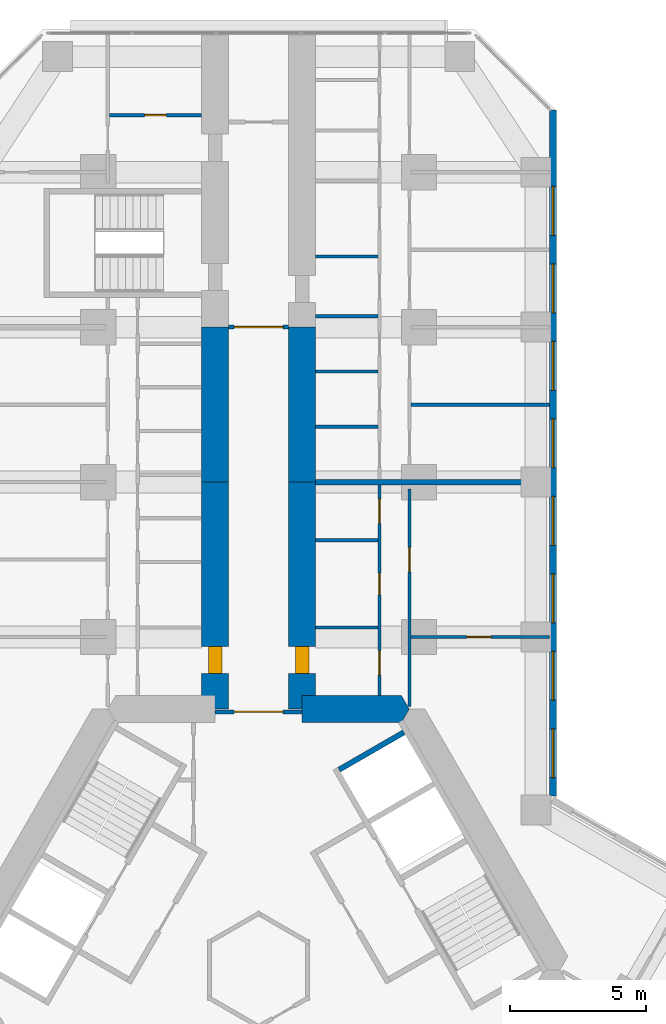
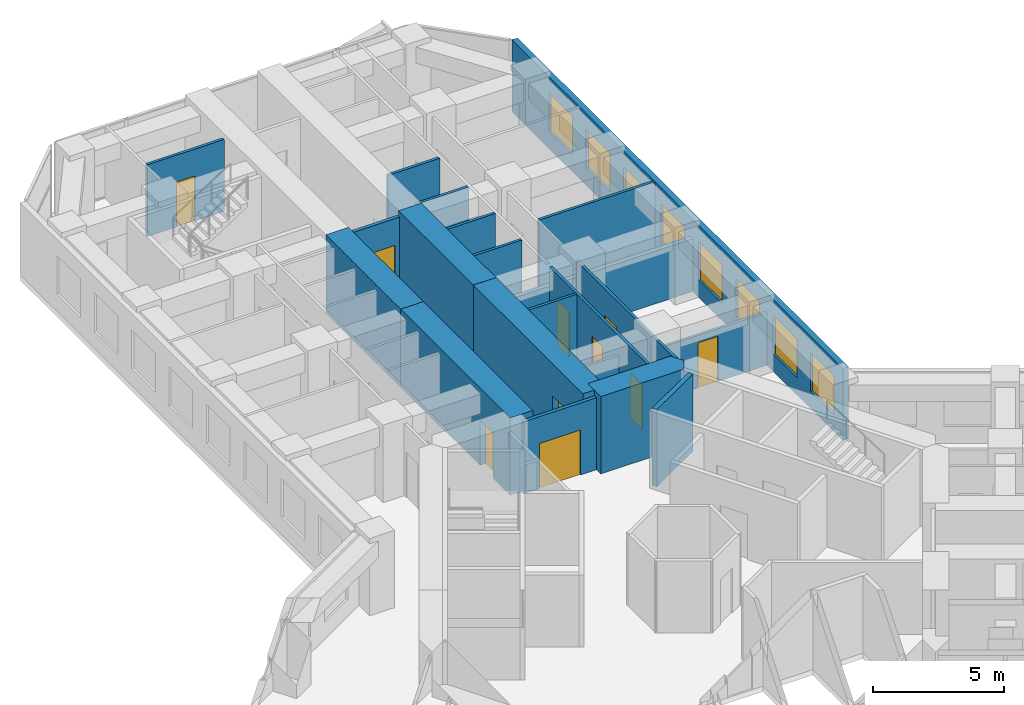
# One storey, part 18 of 21: 21 walls, 10 doors, 8 windows, 18 openings.
"""IFC4 building model written with IfcOpenShell, lengths in metres."""

from ifc_helpers import new_model, si_unit, direction, frame, frame_2d, origin, place, context, subcontext, project, spatial, polyline, rectangle, outline, extrude, material, layer, layer_set, type_object, element, fill, save


model = new_model("IFC4")

# Units and contexts
model_context = context("Model", 3, precision=1e-05, world=origin(), true_north=direction((0.0, 1.0)))
body_context = subcontext(model_context, "Body", "Model", "MODEL_VIEW")
ifc_project = project(units=[si_unit("LENGTHUNIT", "METRE"), si_unit("AREAUNIT", "SQUARE_METRE"), si_unit("VOLUMEUNIT", "CUBIC_METRE"), si_unit("PLANEANGLEUNIT", "RADIAN"), si_unit("MASSUNIT", "GRAM", prefix="KILO")], contexts=[model_context])

# Site, building, storey
site_placement = place(None, origin())
site = spatial("IfcSite", under=ifc_project, at=site_placement, CompositionType="ELEMENT")
building_placement = place(site_placement, origin())
building = spatial("IfcBuilding", under=site, at=building_placement, Name="Kosmar Iwan School Tower", CompositionType="ELEMENT")
storey_placement = place(building_placement, frame((0.0, 0.0, 43.0)))
storey = spatial("IfcBuildingStorey", under=building, at=storey_placement, Name="L09", CompositionType="ELEMENT", Elevation=43.0)

# Wall
ifc_material_1 = material(Name="Concrete C50/60", Category="concrete")
ifc_layer_1 = layer(ifc_material_1, 1.0)
ifc_layer_set_1 = layer_set([ifc_layer_1], Name="Core wall 1000")
wall_type_1 = type_object("IfcWallType", Name="Core wall 1000", PredefinedType="SHEAR", material=ifc_layer_set_1)
wall_1_placement = place(storey_placement, origin())
element("IfcWall", 1, at=wall_1_placement, inside=storey, type_object=wall_type_1, Name="Core wall F090a", PredefinedType="SHEAR", context=body_context, shape_type="SweptSolid", body=[
    extrude(outline(polyline([(1.60009765625, 9.10009765625), (5.25390625, 9.10009765625), (5.54248046875, 9.60009765625), (5.25390625, 10.10009765625), (1.60009765625, 10.10009765625), (1.60009765625, 9.10009765625)])), origin(), (0.0, 0.0, 1.0), 3.60009765625),
])

# Wall, opening, door
ifc_material_2 = material(Name="Concrete C50/60", Category="concrete")
ifc_layer_2 = layer(ifc_material_2, 1.0)
ifc_layer_set_2 = layer_set([ifc_layer_2], Name="Corridor buttress wall 1000")
wall_type_2 = type_object("IfcWallType", Name="Corridor buttress wall 1000", PredefinedType="SHEAR", material=ifc_layer_set_2)
wall_2_placement = place(storey_placement, frame((-1.60009765625, 9.60009765625, 0.0), z_axis=(0.0, 0.0, 1.0), x_axis=(0.0, 1.0, 0.0)))
wall_2 = element("IfcWall", 2, at=wall_2_placement, inside=storey, type_object=wall_type_2, Name="Corridor wall AL", PredefinedType="SHEAR", context=body_context, shape_type="SweptSolid", body=[
    extrude(rectangle(XDim=8.349853515625, YDim=1.0, at=frame_2d((4.1748046875, 0.0))), origin(), (0.0, 0.0, 1.0), 3.60009765625),
])
opening_1_placement = place(wall_2_placement, frame((1.300048828125, 0.0, 0.0)))
opening_1 = element("IfcOpeningElement", 3, at=opening_1_placement, cuts=wall_2, Name="Opening D1", PredefinedType="OPENING", context=body_context, shape_type="SweptSolid", body=[
    extrude(rectangle(XDim=1.0, YDim=2.10009765625, at=frame_2d((0.5, 1.050048828125))), frame((0.0, 0.511962890625, 0.0), z_axis=(0.0, -1.0, 0.0), x_axis=(1.0, 0.0, 0.0)), (0.0, 0.0, 1.0), 1.02392578125),
])
ifc_material_3 = material(Name="Timber fire door in steel frame", Category="steel")
door_type_1 = type_object("IfcDoorType", Name="Flat entrance door 1000x2100", OperationType="SINGLE_SWING_LEFT", PredefinedType="DOOR", material=ifc_material_3)
door_1_placement = place(opening_1_placement, origin())
door_1 = element("IfcDoor", 4, at=door_1_placement, inside=storey, type_object=door_type_1, Name="Flat L09-AL1 entrance door", OperationType="SINGLE_SWING_RIGHT", OverallHeight=2.10009765625, OverallWidth=1.0, PredefinedType="DOOR", context=body_context, shape_type="SweptSolid", body=[
    extrude(rectangle(XDim=1.0, YDim=2.10009765625, at=frame_2d((0.5, 1.050048828125))), frame((0.0, 0.25, 0.0), z_axis=(0.0, -1.0, 0.0), x_axis=(1.0, 0.0, 0.0)), (0.0, 0.0, 1.0), 0.5),
])
fill(opening_1, door_1)

# Wall
wall_3_placement = place(storey_placement, frame((-1.60009765625, 17.949951171875, 0.0), z_axis=(0.0, 0.0, 1.0), x_axis=(0.0, 1.0, 0.0)))
element("IfcWall", 5, at=wall_3_placement, inside=storey, type_object=wall_type_2, Name="Corridor wall AL bay 2", PredefinedType="SHEAR", context=body_context, shape_type="SweptSolid", body=[
    extrude(rectangle(XDim=5.699951171875, YDim=1.0, at=frame_2d((2.85009765625, 0.0))), origin(), (0.0, 0.0, 1.0), 3.60009765625),
])

# Wall, opening, door
wall_4_placement = place(storey_placement, frame((1.60009765625, 9.60009765625, 0.0), z_axis=(0.0, 0.0, 1.0), x_axis=(0.0, 1.0, 0.0)))
wall_4 = element("IfcWall", 6, at=wall_4_placement, inside=storey, type_object=wall_type_2, Name="Corridor wall AR", PredefinedType="SHEAR", context=body_context, shape_type="SweptSolid", body=[
    extrude(rectangle(XDim=8.349853515625, YDim=1.0, at=frame_2d((4.1748046875, 0.0))), origin(), (0.0, 0.0, 1.0), 3.60009765625),
])
opening_2_placement = place(wall_4_placement, frame((1.300048828125, 0.0, 0.0)))
opening_2 = element("IfcOpeningElement", 7, at=opening_2_placement, cuts=wall_4, Name="Opening D1", PredefinedType="OPENING", context=body_context, shape_type="SweptSolid", body=[
    extrude(rectangle(XDim=1.0, YDim=2.10009765625, at=frame_2d((0.5, 1.050048828125))), frame((0.0, 0.511962890625, 0.0), z_axis=(0.0, -1.0, 0.0), x_axis=(1.0, 0.0, 0.0)), (0.0, 0.0, 1.0), 1.02392578125),
])
door_2_placement = place(opening_2_placement, origin())
door_2 = element("IfcDoor", 8, at=door_2_placement, inside=storey, type_object=door_type_1, Name="Flat L09-AR1 entrance door", OperationType="SINGLE_SWING_LEFT", OverallHeight=2.10009765625, OverallWidth=1.0, PredefinedType="DOOR", context=body_context, shape_type="SweptSolid", body=[
    extrude(rectangle(XDim=1.0, YDim=2.10009765625, at=frame_2d((0.5, 1.050048828125))), frame((0.0, 0.25, 0.0), z_axis=(0.0, -1.0, 0.0), x_axis=(1.0, 0.0, 0.0)), (0.0, 0.0, 1.0), 0.5),
])
fill(opening_2, door_2)

# Wall
wall_5_placement = place(storey_placement, frame((1.60009765625, 17.949951171875, 0.0), z_axis=(0.0, 0.0, 1.0), x_axis=(0.0, 1.0, 0.0)))
element("IfcWall", 9, at=wall_5_placement, inside=storey, type_object=wall_type_2, Name="Corridor wall AR bay 2", PredefinedType="SHEAR", context=body_context, shape_type="SweptSolid", body=[
    extrude(rectangle(XDim=5.699951171875, YDim=1.0, at=frame_2d((2.85009765625, 0.0))), origin(), (0.0, 0.0, 1.0), 3.60009765625),
])

# Wall, opening, door
ifc_material_4 = material(Name="Gypsum board on steel studs, fire-rated", Category="steel")
ifc_layer_3 = layer(ifc_material_4, 0.14990234375)
ifc_layer_set_3 = layer_set([ifc_layer_3], Name="Corridor end wall 150")
wall_type_3 = type_object("IfcWallType", Name="Corridor end wall 150", PredefinedType="PARTITIONING", material=ifc_layer_set_3)
wall_6_placement = place(storey_placement, frame((1.10009765625, 23.64990234375, 0.0), z_axis=(0.0, 0.0, 1.0), x_axis=(-1.0, 0.0, 0.0)))
wall_6 = element("IfcWall", 10, at=wall_6_placement, inside=storey, type_object=wall_type_3, Name="Partition L09-A-HW", PredefinedType="PARTITIONING", context=body_context, shape_type="SweptSolid", body=[
    extrude(rectangle(XDim=2.2001953125, YDim=0.14990234375, at=frame_2d((1.10009765625, 0.0))), origin(), (0.0, 0.0, 1.0), 3.35009765625),
])
opening_3_placement = place(wall_6_placement, frame((0.199951171875, 0.0, 0.0)))
opening_3 = element("IfcOpeningElement", 11, at=opening_3_placement, cuts=wall_6, Name="Opening D9", PredefinedType="OPENING", context=body_context, shape_type="SweptSolid", body=[
    extrude(rectangle(XDim=1.800048828125, YDim=2.10009765625, at=frame_2d((0.89990234375, 1.050048828125))), frame((0.0, 0.0869140625, 0.0), z_axis=(0.0, -1.0, 0.0), x_axis=(1.0, 0.0, 0.0)), (0.0, 0.0, 1.0), 0.173828125),
])
ifc_material_5 = material(Name="Steel framed glazed smoke door", Category="steel")
door_type_2 = type_object("IfcDoorType", Name="Corridor smoke door pair 1800x2100", OperationType="DOUBLE_DOOR_DOUBLE_SWING", PredefinedType="DOOR", material=ifc_material_5)
door_3_placement = place(opening_3_placement, origin())
door_3 = element("IfcDoor", 12, at=door_3_placement, inside=storey, type_object=door_type_2, Name="Entrance vestibule smoke doors L09-A", OperationType="DOUBLE_DOOR_DOUBLE_SWING", OverallHeight=2.10009765625, OverallWidth=1.800048828125, PredefinedType="DOOR", context=body_context, shape_type="SweptSolid", body=[
    extrude(rectangle(XDim=1.800048828125, YDim=2.10009765625, at=frame_2d((0.89990234375, 1.050048828125))), frame((0.0, 0.02490234375, 0.0), z_axis=(0.0, -1.0, 0.0), x_axis=(1.0, 0.0, 0.0)), (0.0, 0.0, 1.0), 0.050048828125),
])
fill(opening_3, door_3)

ifc_material_6 = material(Name="Steel framed glazed screen", Category="steel")
ifc_layer_4 = layer(ifc_material_6, 0.14990234375)
ifc_layer_set_4 = layer_set([ifc_layer_4], Name="Corridor screen wall 150")
wall_type_4 = type_object("IfcWallType", Name="Corridor screen wall 150", PredefinedType="PARTITIONING", material=ifc_layer_set_4)
wall_7_placement = place(storey_placement, frame((1.60009765625, 9.5, 0.0), z_axis=(0.0, 0.0, 1.0), x_axis=(-1.0, 0.0, 0.0)))
wall_7 = element("IfcWall", 13, at=wall_7_placement, inside=storey, type_object=wall_type_4, Name="Corridor screen A L09", PredefinedType="PARTITIONING", context=body_context, shape_type="SweptSolid", body=[
    extrude(rectangle(XDim=3.2001953125, YDim=0.14990234375, at=frame_2d((1.60009765625, 0.0))), origin(), (0.0, 0.0, 1.0), 3.35009765625),
])
opening_4_placement = place(wall_7_placement, frame((0.699951171875, 0.0, 0.0)))
opening_4 = element("IfcOpeningElement", 14, at=opening_4_placement, cuts=wall_7, Name="Opening D9", PredefinedType="OPENING", context=body_context, shape_type="SweptSolid", body=[
    extrude(rectangle(XDim=1.800048828125, YDim=2.10009765625, at=frame_2d((0.89990234375, 1.050048828125))), frame((0.0, 0.0869140625, 0.0), z_axis=(0.0, -1.0, 0.0), x_axis=(1.0, 0.0, 0.0)), (0.0, 0.0, 1.0), 0.173828125),
])
door_4_placement = place(opening_4_placement, origin())
door_4 = element("IfcDoor", 15, at=door_4_placement, inside=storey, type_object=door_type_2, Name="Corridor doors A L09", OperationType="DOUBLE_DOOR_DOUBLE_SWING", OverallHeight=2.10009765625, OverallWidth=1.800048828125, PredefinedType="DOOR", context=body_context, shape_type="SweptSolid", body=[
    extrude(rectangle(XDim=1.800048828125, YDim=2.10009765625, at=frame_2d((0.89990234375, 1.050048828125))), frame((0.0, 0.02490234375, 0.0), z_axis=(0.0, -1.0, 0.0), x_axis=(1.0, 0.0, 0.0)), (0.0, 0.0, 1.0), 0.050048828125),
])
fill(opening_4, door_4)

ifc_material_7 = material(Name="Gypsum board on steel studs", Category="steel")
ifc_layer_5 = layer(ifc_material_7, 0.1201171875)
ifc_layer_set_5 = layer_set([ifc_layer_5], Name="Dwelling partition 120")
wall_type_5 = type_object("IfcWallType", Name="Dwelling partition 120", PredefinedType="PARTITIONING", material=ifc_layer_set_5)
wall_8_placement = place(storey_placement, frame((-2.10009765625, 31.449951171875, 0.0), z_axis=(0.0, 0.0, 1.0), x_axis=(-1.0, 0.0, 0.0)))
wall_8 = element("IfcWall", 16, at=wall_8_placement, inside=storey, type_object=wall_type_5, Name="Partition L09-AL2-TY", PredefinedType="PARTITIONING", context=body_context, shape_type="SweptSolid", body=[
    extrude(rectangle(XDim=3.389892578125, YDim=0.1201171875, at=frame_2d((1.69482421875, 0.0))), origin(), (0.0, 0.0, 1.0), 3.35009765625),
])
opening_5_placement = place(wall_8_placement, frame((1.294921875, 0.0, 0.0)))
opening_5 = element("IfcOpeningElement", 17, at=opening_5_placement, cuts=wall_8, Name="Opening D3", PredefinedType="OPENING", context=body_context, shape_type="SweptSolid", body=[
    extrude(rectangle(XDim=0.800048828125, YDim=2.10009765625, at=frame_2d((0.39990234375, 1.050048828125))), frame((0.0, 0.072021484375, 0.0), z_axis=(0.0, -1.0, 0.0), x_axis=(1.0, 0.0, 0.0)), (0.0, 0.0, 1.0), 0.14404296875),
])
ifc_material_8 = material(Name="Timber door in timber frame", Category="wood")
door_type_3 = type_object("IfcDoorType", Name="Sanitary room door 800x2100", OperationType="SINGLE_SWING_LEFT", PredefinedType="DOOR", material=ifc_material_8)
door_5_placement = place(opening_5_placement, origin())
door_5 = element("IfcDoor", 18, at=door_5_placement, inside=storey, type_object=door_type_3, Name="Bathroom door L09-AL2-T4", OperationType="SINGLE_SWING_RIGHT", OverallHeight=2.10009765625, OverallWidth=0.800048828125, PredefinedType="DOOR", context=body_context, shape_type="SweptSolid", body=[
    extrude(rectangle(XDim=0.800048828125, YDim=2.10009765625, at=frame_2d((0.39990234375, 1.050048828125))), frame((0.0, 0.02490234375, 0.0), z_axis=(0.0, -1.0, 0.0), x_axis=(1.0, 0.0, 0.0)), (0.0, 0.0, 1.0), 0.050048828125),
])
fill(opening_5, door_5)

# Wall, openings, doors
wall_9_placement = place(storey_placement, frame((4.449951171875, 10.10009765625, 0.0), z_axis=(0.0, 0.0, 1.0), x_axis=(0.0, 1.0, 0.0)))
wall_9 = element("IfcWall", 19, at=wall_9_placement, inside=storey, type_object=wall_type_5, Name="Partition L09-AR1-W1", PredefinedType="PARTITIONING", context=body_context, shape_type="SweptSolid", body=[
    extrude(rectangle(XDim=7.75, YDim=0.1201171875, at=frame_2d((3.875, 0.0))), origin(), (0.0, 0.0, 1.0), 3.35009765625),
])
opening_6_placement = place(wall_9_placement, frame((0.75, 0.0, 0.0)))
opening_6 = element("IfcOpeningElement", 20, at=opening_6_placement, cuts=wall_9, Name="Opening D2", PredefinedType="OPENING", context=body_context, shape_type="SweptSolid", body=[
    extrude(rectangle(XDim=0.89990234375, YDim=2.10009765625, at=frame_2d((0.449951171875, 1.050048828125))), frame((0.0, 0.072021484375, 0.0), z_axis=(0.0, -1.0, 0.0), x_axis=(1.0, 0.0, 0.0)), (0.0, 0.0, 1.0), 0.14404296875),
])
opening_7_placement = place(wall_9_placement, frame((3.705078125, 0.0, 0.0)))
opening_7 = element("IfcOpeningElement", 21, at=opening_7_placement, cuts=wall_9, Name="Opening D3", PredefinedType="OPENING", context=body_context, shape_type="SweptSolid", body=[
    extrude(rectangle(XDim=0.800048828125, YDim=2.10009765625, at=frame_2d((0.39990234375, 1.050048828125))), frame((0.0, 0.072021484375, 0.0), z_axis=(0.0, -1.0, 0.0), x_axis=(1.0, 0.0, 0.0)), (0.0, 0.0, 1.0), 0.14404296875),
])
opening_8_placement = place(wall_9_placement, frame((6.330078125, 0.0, 0.0)))
opening_8 = element("IfcOpeningElement", 22, at=opening_8_placement, cuts=wall_9, Name="Opening D2", PredefinedType="OPENING", context=body_context, shape_type="SweptSolid", body=[
    extrude(rectangle(XDim=0.89990234375, YDim=2.10009765625, at=frame_2d((0.449951171875, 1.050048828125))), frame((0.0, 0.072021484375, 0.0), z_axis=(0.0, -1.0, 0.0), x_axis=(1.0, 0.0, 0.0)), (0.0, 0.0, 1.0), 0.14404296875),
])
ifc_material_9 = material(Name="Timber door in timber frame", Category="wood")
door_type_4 = type_object("IfcDoorType", Name="Internal door 900x2100", OperationType="SINGLE_SWING_LEFT", PredefinedType="DOOR", material=ifc_material_9)
door_6_placement = place(opening_6_placement, origin())
door_6 = element("IfcDoor", 23, at=door_6_placement, inside=storey, type_object=door_type_4, Name="Entrance hall door L09-AR1-S1", OperationType="SINGLE_SWING_LEFT", OverallHeight=2.10009765625, OverallWidth=0.89990234375, PredefinedType="DOOR", context=body_context, shape_type="SweptSolid", body=[
    extrude(rectangle(XDim=0.89990234375, YDim=2.10009765625, at=frame_2d((0.449951171875, 1.050048828125))), frame((0.0, 0.02490234375, 0.0), z_axis=(0.0, -1.0, 0.0), x_axis=(1.0, 0.0, 0.0)), (0.0, 0.0, 1.0), 0.050048828125),
])
fill(opening_6, door_6)
door_7_placement = place(opening_8_placement, origin())
door_7 = element("IfcDoor", 24, at=door_7_placement, inside=storey, type_object=door_type_4, Name="Pantry door L09-AR1-S3", OperationType="SINGLE_SWING_RIGHT", OverallHeight=2.10009765625, OverallWidth=0.89990234375, PredefinedType="DOOR", context=body_context, shape_type="SweptSolid", body=[
    extrude(rectangle(XDim=0.89990234375, YDim=2.10009765625, at=frame_2d((0.449951171875, 1.050048828125))), frame((0.0, 0.02490234375, 0.0), z_axis=(0.0, -1.0, 0.0), x_axis=(1.0, 0.0, 0.0)), (0.0, 0.0, 1.0), 0.050048828125),
])
fill(opening_8, door_7)
door_8_placement = place(opening_7_placement, origin())
door_8 = element("IfcDoor", 25, at=door_8_placement, inside=storey, type_object=door_type_3, Name="Bathroom door L09-AR1-S2", OperationType="SINGLE_SWING_RIGHT", OverallHeight=2.10009765625, OverallWidth=0.800048828125, PredefinedType="DOOR", context=body_context, shape_type="SweptSolid", body=[
    extrude(rectangle(XDim=0.800048828125, YDim=2.10009765625, at=frame_2d((0.39990234375, 1.050048828125))), frame((0.0, 0.02490234375, 0.0), z_axis=(0.0, -1.0, 0.0), x_axis=(1.0, 0.0, 0.0)), (0.0, 0.0, 1.0), 0.050048828125),
])
fill(opening_7, door_8)

# Wall, opening, door
wall_10_placement = place(storey_placement, frame((5.550048828125, 9.69091796875, 0.0), z_axis=(0.0, 0.0, 1.0), x_axis=(0.0, 1.0, 0.0)))
wall_10 = element("IfcWall", 26, at=wall_10_placement, inside=storey, type_object=wall_type_5, Name="Partition L09-AR1-W2", PredefinedType="PARTITIONING", context=body_context, shape_type="SweptSolid", body=[
    extrude(rectangle(XDim=8.009033203125, YDim=0.1201171875, at=frame_2d((4.00439453125, 0.0))), origin(), (0.0, 0.0, 1.0), 3.35009765625),
])
opening_9_placement = place(wall_10_placement, frame((4.958984375, 0.0, 0.0)))
opening_9 = element("IfcOpeningElement", 27, at=opening_9_placement, cuts=wall_10, Name="Opening D2", PredefinedType="OPENING", context=body_context, shape_type="SweptSolid", body=[
    extrude(rectangle(XDim=0.89990234375, YDim=2.10009765625, at=frame_2d((0.449951171875, 1.050048828125))), frame((0.0, 0.072021484375, 0.0), z_axis=(0.0, -1.0, 0.0), x_axis=(1.0, 0.0, 0.0)), (0.0, 0.0, 1.0), 0.14404296875),
])
door_9_placement = place(opening_9_placement, origin())
door_9 = element("IfcDoor", 28, at=door_9_placement, inside=storey, type_object=door_type_4, Name="Studio living room door L09-AR1-F2", OperationType="SINGLE_SWING_RIGHT", OverallHeight=2.10009765625, OverallWidth=0.89990234375, PredefinedType="DOOR", context=body_context, shape_type="SweptSolid", body=[
    extrude(rectangle(XDim=0.89990234375, YDim=2.10009765625, at=frame_2d((0.449951171875, 1.050048828125))), frame((0.0, 0.02490234375, 0.0), z_axis=(0.0, -1.0, 0.0), x_axis=(1.0, 0.0, 0.0)), (0.0, 0.0, 1.0), 0.050048828125),
])
fill(opening_9, door_9)

wall_11_placement = place(storey_placement, frame((5.610107421875, 12.25, 0.0), z_axis=(0.0, 0.0, 1.0), x_axis=(1.0, 0.0, 0.0)))
wall_11 = element("IfcWall", 29, at=wall_11_placement, inside=storey, type_object=wall_type_5, Name="Partition L09-AR1-X1", PredefinedType="PARTITIONING", context=body_context, shape_type="SweptSolid", body=[
    extrude(rectangle(XDim=5.08984375, YDim=0.1201171875, at=frame_2d((2.544921875, 0.0))), origin(), (0.0, 0.0, 1.0), 2.449951171875),
])
opening_10_placement = place(wall_11_placement, frame((2.0400390625, 0.0, 0.0)))
opening_10 = element("IfcOpeningElement", 30, at=opening_10_placement, cuts=wall_11, Name="Opening D2", PredefinedType="OPENING", context=body_context, shape_type="SweptSolid", body=[
    extrude(rectangle(XDim=0.89990234375, YDim=2.10009765625, at=frame_2d((0.449951171875, 1.050048828125))), frame((0.0, 0.072021484375, 0.0), z_axis=(0.0, -1.0, 0.0), x_axis=(1.0, 0.0, 0.0)), (0.0, 0.0, 1.0), 0.14404296875),
])
door_10_placement = place(opening_10_placement, origin())
door_10 = element("IfcDoor", 31, at=door_10_placement, inside=storey, type_object=door_type_4, Name="Kitchen and dining room door L09-AR1-F1", OperationType="SINGLE_SWING_LEFT", OverallHeight=2.10009765625, OverallWidth=0.89990234375, PredefinedType="DOOR", context=body_context, shape_type="SweptSolid", body=[
    extrude(rectangle(XDim=0.89990234375, YDim=2.10009765625, at=frame_2d((0.449951171875, 1.050048828125))), frame((0.0, 0.02490234375, 0.0), z_axis=(0.0, -1.0, 0.0), x_axis=(1.0, 0.0, 0.0)), (0.0, 0.0, 1.0), 0.050048828125),
])
fill(opening_10, door_10)

# Walls
wall_12_placement = place(storey_placement, frame((2.10009765625, 12.60009765625, 0.0), z_axis=(0.0, 0.0, 1.0), x_axis=(1.0, 0.0, 0.0)))
element("IfcWall", 32, at=wall_12_placement, inside=storey, type_object=wall_type_5, Name="Partition L09-AR1-Y1", PredefinedType="PARTITIONING", context=body_context, shape_type="SweptSolid", body=[
    extrude(rectangle(XDim=2.289794921875, YDim=0.1201171875, at=frame_2d((1.14501953125, 0.0))), origin(), (0.0, 0.0, 1.0), 2.449951171875),
])
wall_13_placement = place(storey_placement, frame((2.10009765625, 15.81005859375, 0.0), z_axis=(0.0, 0.0, 1.0), x_axis=(1.0, 0.0, 0.0)))
element("IfcWall", 33, at=wall_13_placement, inside=storey, type_object=wall_type_5, Name="Partition L09-AR1-Y2", PredefinedType="PARTITIONING", context=body_context, shape_type="SweptSolid", body=[
    extrude(rectangle(XDim=2.289794921875, YDim=0.1201171875, at=frame_2d((1.14501953125, 0.0))), origin(), (0.0, 0.0, 1.0), 3.35009765625),
])
wall_14_placement = place(storey_placement, frame((5.610107421875, 20.800048828125, 0.0), z_axis=(0.0, 0.0, 1.0), x_axis=(1.0, 0.0, 0.0)))
element("IfcWall", 34, at=wall_14_placement, inside=storey, type_object=wall_type_5, Name="Partition L09-AR2-X1", PredefinedType="PARTITIONING", context=body_context, shape_type="SweptSolid", body=[
    extrude(rectangle(XDim=5.08984375, YDim=0.1201171875, at=frame_2d((2.544921875, 0.0))), origin(), (0.0, 0.0, 1.0), 3.35009765625),
])
for number, where, z_axis, x_axis, name in (
    (35, (2.10009765625, 19.9833984375, 0.0), (0.0, 0.0, 1.0), (1.0, 0.0, 0.0), "Partition L09-AR2-Y1"),
    (36, (2.10009765625, 22.0166015625, 0.0), (0.0, 0.0, 1.0), (1.0, 0.0, 0.0), "Partition L09-AR2-Y2"),
    (37, (2.10009765625, 24.050048828125, 0.0), (0.0, 0.0, 1.0), (1.0, 0.0, 0.0), "Partition L09-AR2-Y3"),
    (38, (2.10009765625, 26.25, 0.0), (0.0, 0.0, 1.0), (1.0, 0.0, 0.0), "Partition L09-AR2-Y4"),
):
    element("IfcWall", number, at=place(storey_placement, frame(where, z_axis=z_axis, x_axis=x_axis)), inside=storey, type_object=wall_type_5, Name=name, PredefinedType="PARTITIONING", context=body_context, shape_type="SweptSolid", body=[
        extrude(rectangle(XDim=2.289794921875, YDim=0.1201171875, at=frame_2d((1.14501953125, 0.0))), origin(), (0.0, 0.0, 1.0), 3.35009765625),
    ])

# Wall, openings, windows
ifc_material_10 = material(Name="Black aluminium rainscreen on insulated framing", Category="aluminium")
ifc_layer_6 = layer(ifc_material_10, 0.25)
ifc_layer_set_6 = layer_set([ifc_layer_6], Name="External wall rainscreen 250")
wall_type_6 = type_object("IfcWallType", Name="External wall rainscreen 250", PredefinedType="SOLIDWALL", material=ifc_layer_set_6)
wall_15_placement = place(storey_placement, frame((10.824951171875, 6.408935546875, 0.0), z_axis=(0.0, 0.0, 1.0), x_axis=(0.0, 1.0, 0.0)))
wall_15 = element("IfcWall", 39, at=wall_15_placement, inside=storey, type_object=wall_type_6, Name="External wall AR L09", PredefinedType="SOLIDWALL", context=body_context, shape_type="SweptSolid", body=[
    extrude(rectangle(XDim=25.226318359375, YDim=0.25, at=frame_2d((12.61328125, 0.0))), origin(), (0.0, 0.0, 1.0), 3.35009765625),
])
opening_11_placement = place(wall_15_placement, frame((0.666015625, 0.0, 0.800048828125)))
opening_11 = element("IfcOpeningElement", 40, at=opening_11_placement, cuts=wall_15, Name="Opening W1", PredefinedType="OPENING", context=body_context, shape_type="SweptSolid", body=[
    extrude(rectangle(XDim=1.800048828125, YDim=1.800048828125, at=frame_2d((0.89990234375, 0.89990234375))), frame((0.0, 0.136962890625, 0.0), z_axis=(0.0, -1.0, 0.0), x_axis=(1.0, 0.0, 0.0)), (0.0, 0.0, 1.0), 0.27392578125),
])
opening_12_placement = place(wall_15_placement, frame((3.51611328125, 0.0, 0.800048828125)))
opening_12 = element("IfcOpeningElement", 41, at=opening_12_placement, cuts=wall_15, Name="Opening W1", PredefinedType="OPENING", context=body_context, shape_type="SweptSolid", body=[
    extrude(rectangle(XDim=1.800048828125, YDim=1.800048828125, at=frame_2d((0.89990234375, 0.89990234375))), frame((0.0, 0.136962890625, 0.0), z_axis=(0.0, -1.0, 0.0), x_axis=(1.0, 0.0, 0.0)), (0.0, 0.0, 1.0), 0.27392578125),
])
opening_13_placement = place(wall_15_placement, frame((6.365966796875, 0.0, 0.800048828125)))
opening_13 = element("IfcOpeningElement", 42, at=opening_13_placement, cuts=wall_15, Name="Opening W1", PredefinedType="OPENING", context=body_context, shape_type="SweptSolid", body=[
    extrude(rectangle(XDim=1.800048828125, YDim=1.800048828125, at=frame_2d((0.89990234375, 0.89990234375))), frame((0.0, 0.136962890625, 0.0), z_axis=(0.0, -1.0, 0.0), x_axis=(1.0, 0.0, 0.0)), (0.0, 0.0, 1.0), 0.27392578125),
])
opening_14_placement = place(wall_15_placement, frame((9.216064453125, 0.0, 0.800048828125)))
opening_14 = element("IfcOpeningElement", 43, at=opening_14_placement, cuts=wall_15, Name="Opening W1", PredefinedType="OPENING", context=body_context, shape_type="SweptSolid", body=[
    extrude(rectangle(XDim=1.800048828125, YDim=1.800048828125, at=frame_2d((0.89990234375, 0.89990234375))), frame((0.0, 0.136962890625, 0.0), z_axis=(0.0, -1.0, 0.0), x_axis=(1.0, 0.0, 0.0)), (0.0, 0.0, 1.0), 0.27392578125),
])
opening_15_placement = place(wall_15_placement, frame((12.06591796875, 0.0, 0.800048828125)))
opening_15 = element("IfcOpeningElement", 44, at=opening_15_placement, cuts=wall_15, Name="Opening W1", PredefinedType="OPENING", context=body_context, shape_type="SweptSolid", body=[
    extrude(rectangle(XDim=1.800048828125, YDim=1.800048828125, at=frame_2d((0.89990234375, 0.89990234375))), frame((0.0, 0.136962890625, 0.0), z_axis=(0.0, -1.0, 0.0), x_axis=(1.0, 0.0, 0.0)), (0.0, 0.0, 1.0), 0.27392578125),
])
opening_16_placement = place(wall_15_placement, frame((14.916015625, 0.0, 0.800048828125)))
opening_16 = element("IfcOpeningElement", 45, at=opening_16_placement, cuts=wall_15, Name="Opening W1", PredefinedType="OPENING", context=body_context, shape_type="SweptSolid", body=[
    extrude(rectangle(XDim=1.800048828125, YDim=1.800048828125, at=frame_2d((0.89990234375, 0.89990234375))), frame((0.0, 0.136962890625, 0.0), z_axis=(0.0, -1.0, 0.0), x_axis=(1.0, 0.0, 0.0)), (0.0, 0.0, 1.0), 0.27392578125),
])
opening_17_placement = place(wall_15_placement, frame((17.76611328125, 0.0, 0.800048828125)))
opening_17 = element("IfcOpeningElement", 46, at=opening_17_placement, cuts=wall_15, Name="Opening W1", PredefinedType="OPENING", context=body_context, shape_type="SweptSolid", body=[
    extrude(rectangle(XDim=1.800048828125, YDim=1.800048828125, at=frame_2d((0.89990234375, 0.89990234375))), frame((0.0, 0.136962890625, 0.0), z_axis=(0.0, -1.0, 0.0), x_axis=(1.0, 0.0, 0.0)), (0.0, 0.0, 1.0), 0.27392578125),
])
opening_18_placement = place(wall_15_placement, frame((20.615966796875, 0.0, 0.800048828125)))
opening_18 = element("IfcOpeningElement", 47, at=opening_18_placement, cuts=wall_15, Name="Opening W1", PredefinedType="OPENING", context=body_context, shape_type="SweptSolid", body=[
    extrude(rectangle(XDim=1.800048828125, YDim=1.800048828125, at=frame_2d((0.89990234375, 0.89990234375))), frame((0.0, 0.136962890625, 0.0), z_axis=(0.0, -1.0, 0.0), x_axis=(1.0, 0.0, 0.0)), (0.0, 0.0, 1.0), 0.27392578125),
])
ifc_material_11 = material(Name="Black aluminium frame with dark triple glazing", Category="aluminium")
window_type = type_object("IfcWindowType", Name="Window 1800x1800", PartitioningType="SINGLE_PANEL", PredefinedType="WINDOW", material=ifc_material_11)
window_1_placement = place(opening_11_placement, origin())
window_1 = element("IfcWindow", 48, at=window_1_placement, inside=storey, type_object=window_type, Name="Window AR L09 -1", OverallHeight=1.800048828125, OverallWidth=1.800048828125, PartitioningType="SINGLE_PANEL", PredefinedType="WINDOW", context=body_context, shape_type="SweptSolid", body=[
    extrude(rectangle(XDim=1.800048828125, YDim=1.800048828125, at=frame_2d((0.89990234375, 0.89990234375))), frame((0.0, 0.030029296875, 0.0), z_axis=(0.0, -1.0, 0.0), x_axis=(1.0, 0.0, 0.0)), (0.0, 0.0, 1.0), 0.06005859375),
])
fill(opening_11, window_1)
window_2_placement = place(opening_12_placement, origin())
window_2 = element("IfcWindow", 49, at=window_2_placement, inside=storey, type_object=window_type, Name="Window AR L09 0", OverallHeight=1.800048828125, OverallWidth=1.800048828125, PartitioningType="SINGLE_PANEL", PredefinedType="WINDOW", context=body_context, shape_type="SweptSolid", body=[
    extrude(rectangle(XDim=1.800048828125, YDim=1.800048828125, at=frame_2d((0.89990234375, 0.89990234375))), frame((0.0, 0.030029296875, 0.0), z_axis=(0.0, -1.0, 0.0), x_axis=(1.0, 0.0, 0.0)), (0.0, 0.0, 1.0), 0.06005859375),
])
fill(opening_12, window_2)
window_3_placement = place(opening_13_placement, origin())
window_3 = element("IfcWindow", 50, at=window_3_placement, inside=storey, type_object=window_type, Name="Window AR L09 1", OverallHeight=1.800048828125, OverallWidth=1.800048828125, PartitioningType="SINGLE_PANEL", PredefinedType="WINDOW", context=body_context, shape_type="SweptSolid", body=[
    extrude(rectangle(XDim=1.800048828125, YDim=1.800048828125, at=frame_2d((0.89990234375, 0.89990234375))), frame((0.0, 0.030029296875, 0.0), z_axis=(0.0, -1.0, 0.0), x_axis=(1.0, 0.0, 0.0)), (0.0, 0.0, 1.0), 0.06005859375),
])
fill(opening_13, window_3)
window_4_placement = place(opening_14_placement, origin())
window_4 = element("IfcWindow", 51, at=window_4_placement, inside=storey, type_object=window_type, Name="Window AR L09 2", OverallHeight=1.800048828125, OverallWidth=1.800048828125, PartitioningType="SINGLE_PANEL", PredefinedType="WINDOW", context=body_context, shape_type="SweptSolid", body=[
    extrude(rectangle(XDim=1.800048828125, YDim=1.800048828125, at=frame_2d((0.89990234375, 0.89990234375))), frame((0.0, 0.030029296875, 0.0), z_axis=(0.0, -1.0, 0.0), x_axis=(1.0, 0.0, 0.0)), (0.0, 0.0, 1.0), 0.06005859375),
])
fill(opening_14, window_4)
window_5_placement = place(opening_15_placement, origin())
window_5 = element("IfcWindow", 52, at=window_5_placement, inside=storey, type_object=window_type, Name="Window AR L09 3", OverallHeight=1.800048828125, OverallWidth=1.800048828125, PartitioningType="SINGLE_PANEL", PredefinedType="WINDOW", context=body_context, shape_type="SweptSolid", body=[
    extrude(rectangle(XDim=1.800048828125, YDim=1.800048828125, at=frame_2d((0.89990234375, 0.89990234375))), frame((0.0, 0.030029296875, 0.0), z_axis=(0.0, -1.0, 0.0), x_axis=(1.0, 0.0, 0.0)), (0.0, 0.0, 1.0), 0.06005859375),
])
fill(opening_15, window_5)
window_6_placement = place(opening_16_placement, origin())
window_6 = element("IfcWindow", 53, at=window_6_placement, inside=storey, type_object=window_type, Name="Window AR L09 4", OverallHeight=1.800048828125, OverallWidth=1.800048828125, PartitioningType="SINGLE_PANEL", PredefinedType="WINDOW", context=body_context, shape_type="SweptSolid", body=[
    extrude(rectangle(XDim=1.800048828125, YDim=1.800048828125, at=frame_2d((0.89990234375, 0.89990234375))), frame((0.0, 0.030029296875, 0.0), z_axis=(0.0, -1.0, 0.0), x_axis=(1.0, 0.0, 0.0)), (0.0, 0.0, 1.0), 0.06005859375),
])
fill(opening_16, window_6)
window_7_placement = place(opening_17_placement, origin())
window_7 = element("IfcWindow", 54, at=window_7_placement, inside=storey, type_object=window_type, Name="Window AR L09 5", OverallHeight=1.800048828125, OverallWidth=1.800048828125, PartitioningType="SINGLE_PANEL", PredefinedType="WINDOW", context=body_context, shape_type="SweptSolid", body=[
    extrude(rectangle(XDim=1.800048828125, YDim=1.800048828125, at=frame_2d((0.89990234375, 0.89990234375))), frame((0.0, 0.030029296875, 0.0), z_axis=(0.0, -1.0, 0.0), x_axis=(1.0, 0.0, 0.0)), (0.0, 0.0, 1.0), 0.06005859375),
])
fill(opening_17, window_7)
window_8_placement = place(opening_18_placement, origin())
window_8 = element("IfcWindow", 55, at=window_8_placement, inside=storey, type_object=window_type, Name="Window AR L09 6", OverallHeight=1.800048828125, OverallWidth=1.800048828125, PartitioningType="SINGLE_PANEL", PredefinedType="WINDOW", context=body_context, shape_type="SweptSolid", body=[
    extrude(rectangle(XDim=1.800048828125, YDim=1.800048828125, at=frame_2d((0.89990234375, 0.89990234375))), frame((0.0, 0.030029296875, 0.0), z_axis=(0.0, -1.0, 0.0), x_axis=(1.0, 0.0, 0.0)), (0.0, 0.0, 1.0), 0.06005859375),
])
fill(opening_18, window_8)

# Walls
ifc_material_12 = material(Name="Concrete C50/60", Category="concrete")
ifc_layer_7 = layer(ifc_material_12, 0.199951171875)
ifc_layer_set_7 = layer_set([ifc_layer_7], Name="Lift shaft wall 200")
wall_type_7 = type_object("IfcWallType", Name="Lift shaft wall 200", PredefinedType="SHEAR", material=ifc_layer_set_7)
wall_16_placement = place(storey_placement, frame((2.962646484375, 7.368408203125, 0.0), z_axis=(0.0, 0.0, 1.0), x_axis=(0.866027397988, 0.499996545922, 0.0)))
element("IfcWall", 56, at=wall_16_placement, inside=storey, type_object=wall_type_7, Name="Lift shaft wall AC 2", PredefinedType="SHEAR", context=body_context, shape_type="SweptSolid", body=[
    extrude(rectangle(XDim=2.75, YDim=0.199951171875, at=frame_2d((1.375, 0.0))), origin(), (0.0, 0.0, 1.0), 3.60009765625),
])
ifc_material_13 = material(Name="Concrete block masonry", Category="masonry")
ifc_layer_8 = layer(ifc_material_13, 0.199951171875)
ifc_layer_set_8 = layer_set([ifc_layer_8], Name="Party wall 200")
wall_type_8 = type_object("IfcWallType", Name="Party wall 200", PredefinedType="PARTITIONING", material=ifc_layer_set_8)
wall_17_placement = place(storey_placement, frame((2.10009765625, 17.949951171875, 0.0), z_axis=(0.0, 0.0, 1.0), x_axis=(1.0, 0.0, 0.0)))
element("IfcWall", 57, at=wall_17_placement, inside=storey, type_object=wall_type_8, Name="Partition L09-AR2-PW", PredefinedType="PARTITIONING", context=body_context, shape_type="SweptSolid", body=[
    extrude(rectangle(XDim=8.599853515625, YDim=0.199951171875, at=frame_2d((4.2998046875, 0.0))), origin(), (0.0, 0.0, 1.0), 2.449951171875),
])

save(model, "model.ifc")
